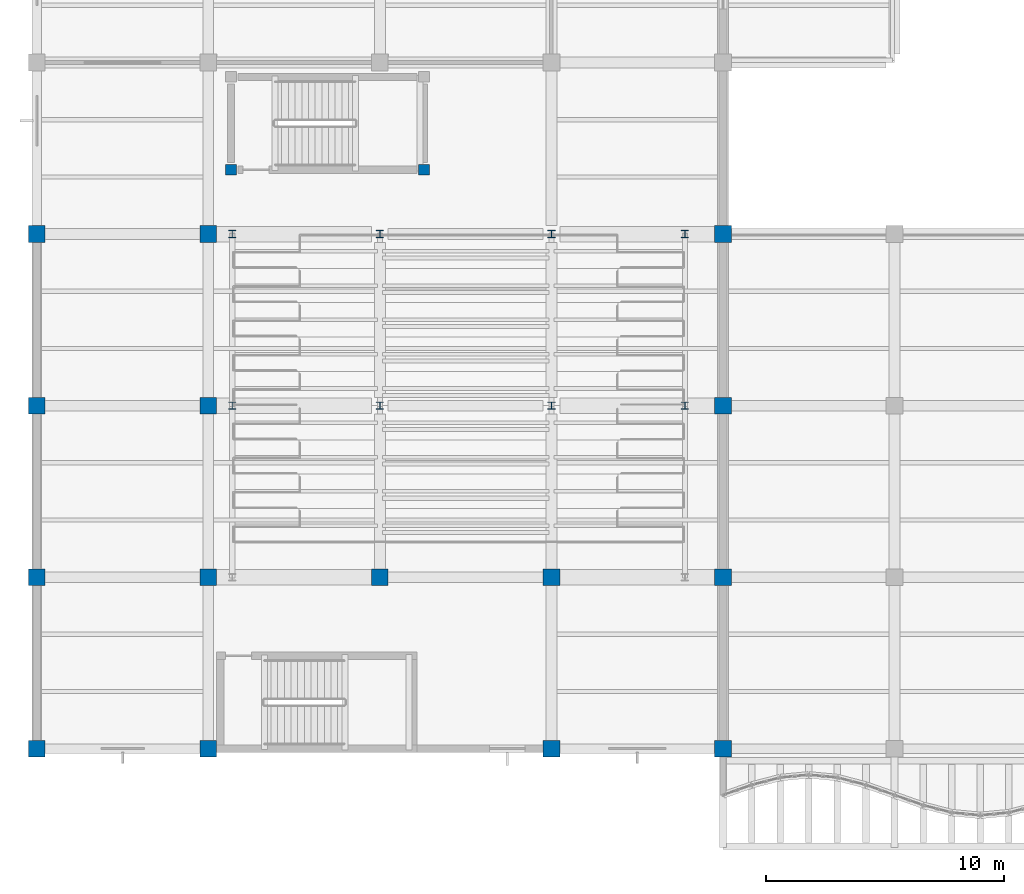
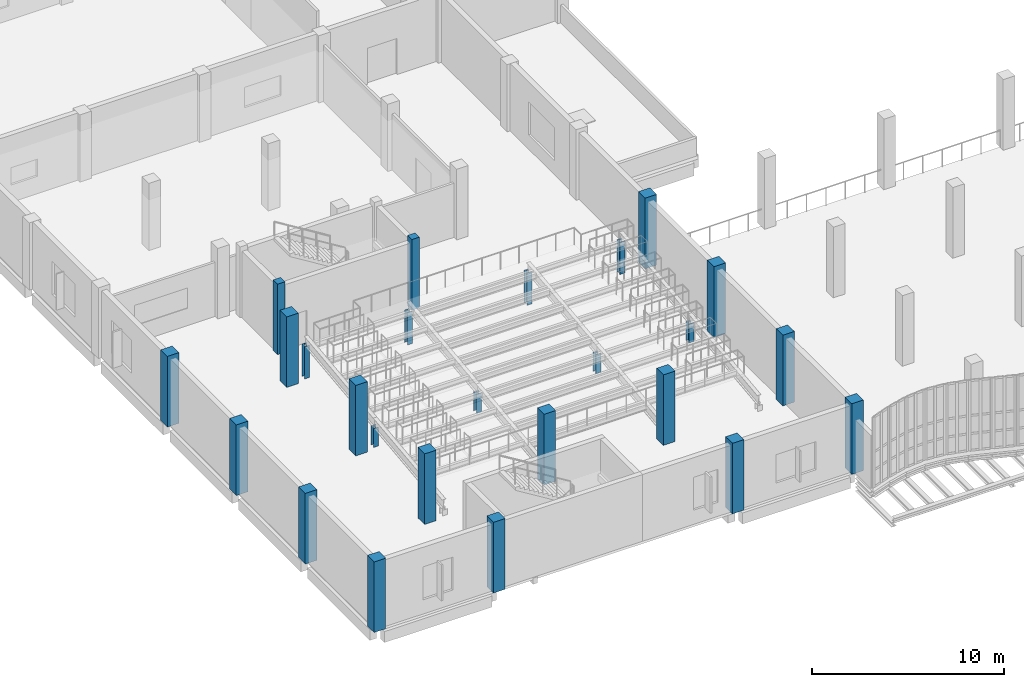
# One storey, part 1 of 108: 25 columns.
"""IFC4 building model written with IfcOpenShell, lengths in metres."""

from ifc_helpers import new_model, si_unit, direction, frame, origin, origin_2d, place, context, subcontext, project, spatial, rectangle, i_section, extrude, material, material_profile, profile_set, type_object, element, save


model = new_model("IFC4")

# Units and contexts
model_context = context("Model", 3, precision=1e-05, world=origin(), true_north=direction((0.0, 1.0)))
body_context = subcontext(model_context, "Body", "Model", "MODEL_VIEW")
ifc_project = project(units=[si_unit("LENGTHUNIT", "METRE"), si_unit("AREAUNIT", "SQUARE_METRE"), si_unit("VOLUMEUNIT", "CUBIC_METRE"), si_unit("PLANEANGLEUNIT", "RADIAN"), si_unit("MASSUNIT", "GRAM", prefix="KILO"), si_unit("THERMODYNAMICTEMPERATUREUNIT", "KELVIN"), si_unit("POWERUNIT", "WATT")], contexts=[model_context])

# Site, building, storey
site_placement = place(None, origin())
site = spatial("IfcSite", under=ifc_project, at=site_placement, CompositionType="ELEMENT")
building_placement = place(site_placement, origin())
building = spatial("IfcBuilding", under=site, at=building_placement, Name="Kaldorven Railside Theatre", CompositionType="ELEMENT")
storey_placement = place(building_placement, frame((0.0, 0.0, 5.39990234375)))
storey = spatial("IfcBuildingStorey", under=building, at=storey_placement, Name="L01", CompositionType="ELEMENT", Elevation=5.39990234375)

# Columns
ifc_material_1 = material(Name="Steel S355", Category="steel")
ifc_material_profile_1 = material_profile(ifc_material_1, i_section(OverallWidth=0.300048828125, OverallDepth=0.300048828125, WebThickness=0.010986328125, FlangeThickness=0.01904296875, at=origin_2d()), Name="HEB 300")
ifc_profile_set_1 = profile_set([ifc_material_profile_1], Name="Steel S355")
column_type_1 = type_object("IfcColumnType", Name="COL-HEB300", PredefinedType="COLUMN", material=ifc_profile_set_1)
column_1_placement = place(storey_placement, frame((16.199951171875, 33.60009765625, 0.0), z_axis=(0.0, 0.0, 1.0), x_axis=(1.0, 0.0, 0.0)))
element("IfcColumn", 1, at=column_1_placement, inside=storey, type_object=column_type_1, Name="Raker Support Stanchion V3S-1-02", PredefinedType="COLUMN", context=body_context, shape_type="SweptSolid", body=[
    extrude(i_section(OverallWidth=0.300048828125, OverallDepth=0.300048828125, WebThickness=0.010986328125, FlangeThickness=0.01904296875, at=origin_2d()), origin(), (0.0, 0.0, 1.0), 1.210205078125),
])
column_2_placement = place(storey_placement, frame((16.199951171875, 40.800048828125, 0.0), z_axis=(0.0, 0.0, 1.0), x_axis=(1.0, 0.0, 0.0)))
element("IfcColumn", 2, at=column_2_placement, inside=storey, type_object=column_type_1, Name="Raker Support Stanchion V3S-1-03", PredefinedType="COLUMN", context=body_context, shape_type="SweptSolid", body=[
    extrude(i_section(OverallWidth=0.300048828125, OverallDepth=0.300048828125, WebThickness=0.010986328125, FlangeThickness=0.01904296875, at=origin_2d()), origin(), (0.0, 0.0, 1.0), 2.06005859375),
])
column_3_placement = place(storey_placement, frame((22.39990234375, 33.60009765625, 0.0), z_axis=(0.0, 0.0, 1.0), x_axis=(1.0, 0.0, 0.0)))
element("IfcColumn", 3, at=column_3_placement, inside=storey, type_object=column_type_1, Name="Raker Support Stanchion V3S-2-02", PredefinedType="COLUMN", context=body_context, shape_type="SweptSolid", body=[
    extrude(i_section(OverallWidth=0.300048828125, OverallDepth=0.300048828125, WebThickness=0.010986328125, FlangeThickness=0.01904296875, at=origin_2d()), origin(), (0.0, 0.0, 1.0), 1.210205078125),
])
column_4_placement = place(storey_placement, frame((22.39990234375, 40.800048828125, 0.0), z_axis=(0.0, 0.0, 1.0), x_axis=(1.0, 0.0, 0.0)))
element("IfcColumn", 4, at=column_4_placement, inside=storey, type_object=column_type_1, Name="Raker Support Stanchion V3S-2-03", PredefinedType="COLUMN", context=body_context, shape_type="SweptSolid", body=[
    extrude(i_section(OverallWidth=0.300048828125, OverallDepth=0.300048828125, WebThickness=0.010986328125, FlangeThickness=0.01904296875, at=origin_2d()), origin(), (0.0, 0.0, 1.0), 2.06005859375),
])
column_5_placement = place(storey_placement, frame((29.60009765625, 33.60009765625, 0.0), z_axis=(0.0, 0.0, 1.0), x_axis=(1.0, 0.0, 0.0)))
element("IfcColumn", 5, at=column_5_placement, inside=storey, type_object=column_type_1, Name="Raker Support Stanchion V3S-3-02", PredefinedType="COLUMN", context=body_context, shape_type="SweptSolid", body=[
    extrude(i_section(OverallWidth=0.300048828125, OverallDepth=0.300048828125, WebThickness=0.010986328125, FlangeThickness=0.01904296875, at=origin_2d()), origin(), (0.0, 0.0, 1.0), 1.210205078125),
])
column_6_placement = place(storey_placement, frame((29.60009765625, 40.800048828125, 0.0), z_axis=(0.0, 0.0, 1.0), x_axis=(1.0, 0.0, 0.0)))
element("IfcColumn", 6, at=column_6_placement, inside=storey, type_object=column_type_1, Name="Raker Support Stanchion V3S-3-03", PredefinedType="COLUMN", context=body_context, shape_type="SweptSolid", body=[
    extrude(i_section(OverallWidth=0.300048828125, OverallDepth=0.300048828125, WebThickness=0.010986328125, FlangeThickness=0.01904296875, at=origin_2d()), origin(), (0.0, 0.0, 1.0), 2.06005859375),
])
column_7_placement = place(storey_placement, frame((35.199951171875, 33.60009765625, 0.0), z_axis=(0.0, 0.0, 1.0), x_axis=(1.0, 0.0, 0.0)))
element("IfcColumn", 7, at=column_7_placement, inside=storey, type_object=column_type_1, Name="Raker Support Stanchion V3S-4-02", PredefinedType="COLUMN", context=body_context, shape_type="SweptSolid", body=[
    extrude(i_section(OverallWidth=0.300048828125, OverallDepth=0.300048828125, WebThickness=0.010986328125, FlangeThickness=0.01904296875, at=origin_2d()), origin(), (0.0, 0.0, 1.0), 1.210205078125),
])
column_8_placement = place(storey_placement, frame((35.199951171875, 40.800048828125, 0.0), z_axis=(0.0, 0.0, 1.0), x_axis=(1.0, 0.0, 0.0)))
element("IfcColumn", 8, at=column_8_placement, inside=storey, type_object=column_type_1, Name="Raker Support Stanchion V3S-4-03", PredefinedType="COLUMN", context=body_context, shape_type="SweptSolid", body=[
    extrude(i_section(OverallWidth=0.300048828125, OverallDepth=0.300048828125, WebThickness=0.010986328125, FlangeThickness=0.01904296875, at=origin_2d()), origin(), (0.0, 0.0, 1.0), 2.06005859375),
])
ifc_material_2 = material(Name="Concrete C40/50", Category="concrete")
ifc_material_profile_2 = material_profile(ifc_material_2, rectangle(XDim=0.449951171875, YDim=0.449951171875, at=origin_2d()), Name="RC 450x450")
ifc_profile_set_2 = profile_set([ifc_material_profile_2], Name="Concrete C40/50")
column_type_2 = type_object("IfcColumnType", Name="COL-RC450", PredefinedType="COLUMN", material=ifc_profile_set_2)
for number, where, z_axis, x_axis, name in (
    (9, (16.14990234375, 43.5, 0.0), (0.0, 0.0, 1.0), (1.0, 0.0, 0.0), "Core ST-02 L01 Boundary Column CCR-006"),
    (10, (24.25, 43.5, 0.0), (0.0, 0.0, 1.0), (1.0, 0.0, 0.0), "Core ST-02 L01 Boundary Column CCR-009"),
):
    element("IfcColumn", number, at=place(storey_placement, frame(where, z_axis=z_axis, x_axis=x_axis)), inside=storey, type_object=column_type_2, Name=name, PredefinedType="COLUMN", context=body_context, shape_type="SweptSolid", body=[
        extrude(rectangle(XDim=0.449951171875, YDim=0.449951171875, at=origin_2d()), origin(), (0.0, 0.0, 1.0), 4.5),
    ])
ifc_material_profile_3 = material_profile(ifc_material_2, rectangle(XDim=0.699951171875, YDim=0.699951171875, at=origin_2d()), Name="RC 700x700")
ifc_profile_set_3 = profile_set([ifc_material_profile_3], Name="Concrete C40/50")
column_type_3 = type_object("IfcColumnType", Name="COL-RC700", PredefinedType="COLUMN", material=ifc_profile_set_3)
for number, where, z_axis, x_axis, name in (
    (11, (8.0, 19.199951171875, 0.0), (0.0, 0.0, 1.0), (0.0, 1.0, 0.0), "L01 Column CG-L01-008-019"),
    (12, (15.199951171875, 19.199951171875, 0.0), (0.0, 0.0, 1.0), (1.0, 0.0, 0.0), "L01 Column CG-L01-015-019"),
    (13, (29.60009765625, 19.199951171875, 0.0), (0.0, 0.0, 1.0), (1.0, 0.0, 0.0), "L01 Column CG-L01-029-019"),
    (14, (36.800048828125, 19.199951171875, 0.0), (0.0, 0.0, 1.0), (1.0, 0.0, 0.0), "L01 Column CG-L01-036-019"),
    (15, (8.0, 26.39990234375, 0.0), (0.0, 0.0, 1.0), (1.0, 0.0, 0.0), "L01 Column CG-L01-008-026"),
    (16, (15.199951171875, 26.39990234375, 0.0), (0.0, 0.0, 1.0), (0.0, 1.0, 0.0), "L01 Column CG-L01-015-026"),
    (17, (22.39990234375, 26.39990234375, 0.0), (0.0, 0.0, 1.0), (1.0, 0.0, 0.0), "L01 Column CG-L01-022-026"),
    (18, (29.60009765625, 26.39990234375, 0.0), (0.0, 0.0, 1.0), (1.0, 0.0, 0.0), "L01 Column CG-L01-029-026"),
    (19, (36.800048828125, 26.39990234375, 0.0), (0.0, 0.0, 1.0), (0.0, 1.0, 0.0), "L01 Column CG-L01-036-026"),
    (20, (8.0, 33.60009765625, 0.0), (0.0, 0.0, 1.0), (0.0, 1.0, 0.0), "L01 Column CG-L01-008-033"),
    (21, (15.199951171875, 33.60009765625, 0.0), (0.0, 0.0, 1.0), (1.0, 0.0, 0.0), "L01 Column CG-L01-015-033"),
    (22, (36.800048828125, 33.60009765625, 0.0), (0.0, 0.0, 1.0), (1.0, 0.0, 0.0), "L01 Column CG-L01-036-033"),
    (23, (8.0, 40.800048828125, 0.0), (0.0, 0.0, 1.0), (1.0, 0.0, 0.0), "L01 Column CG-L01-008-040"),
    (24, (15.199951171875, 40.800048828125, 0.0), (0.0, 0.0, 1.0), (1.0, 0.0, 0.0), "L01 Column CG-L01-015-040"),
    (25, (36.800048828125, 40.800048828125, 0.0), (0.0, 0.0, 1.0), (0.0, 1.0, 0.0), "L01 Column CG-L01-036-040"),
):
    element("IfcColumn", number, at=place(storey_placement, frame(where, z_axis=z_axis, x_axis=x_axis)), inside=storey, type_object=column_type_3, Name=name, PredefinedType="COLUMN", context=body_context, shape_type="SweptSolid", body=[
        extrude(rectangle(XDim=0.699951171875, YDim=0.699951171875, at=origin_2d()), origin(), (0.0, 0.0, 1.0), 4.5),
    ])

save(model, "model.ifc")
